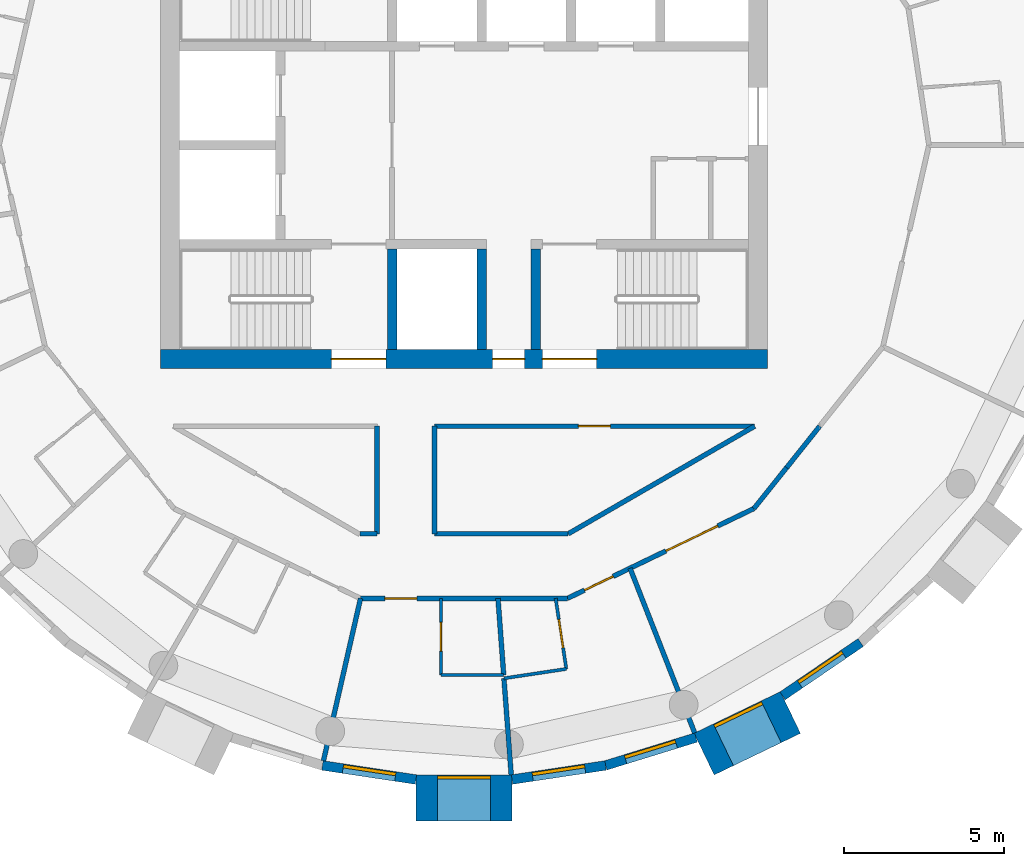
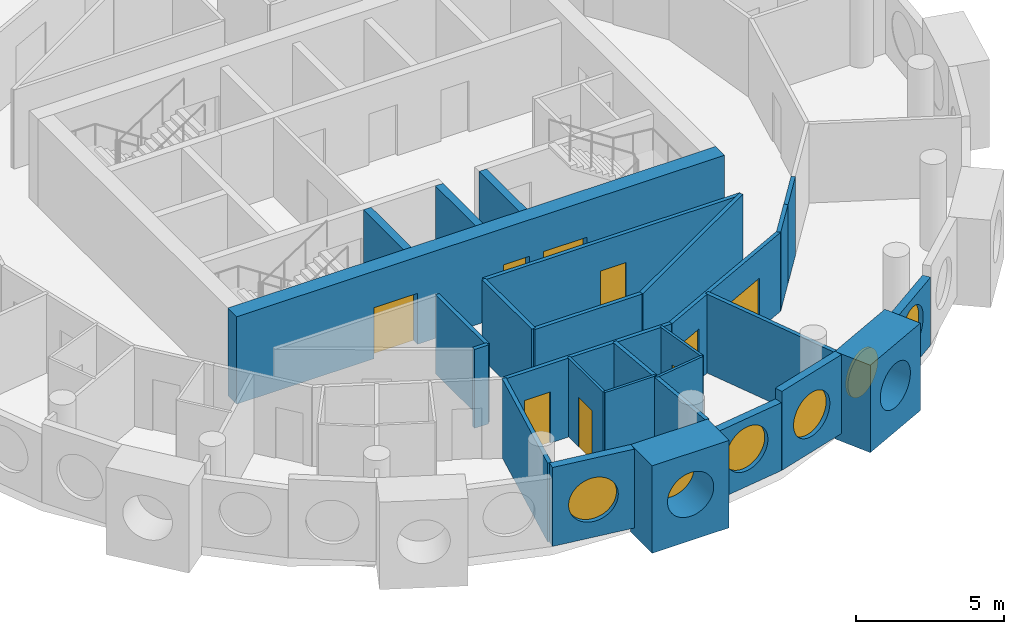
# One storey, part 4 of 12: 28 walls, 9 doors, 6 windows, 15 openings.
"""IFC4 building model written with IfcOpenShell, lengths in metres."""

from ifc_helpers import new_model, si_unit, direction, frame, frame_2d, origin, origin_2d, place, context, subcontext, project, spatial, rectangle, circle, extrude, material, layer, layer_set, type_object, element, fill, save


model = new_model("IFC4")

# Units and contexts
model_context = context("Model", 3, precision=1e-05, world=origin(), true_north=direction((0.0, 1.0)))
body_context = subcontext(model_context, "Body", "Model", "MODEL_VIEW")
ifc_project = project(units=[si_unit("LENGTHUNIT", "METRE"), si_unit("AREAUNIT", "SQUARE_METRE"), si_unit("VOLUMEUNIT", "CUBIC_METRE"), si_unit("PLANEANGLEUNIT", "RADIAN"), si_unit("MASSUNIT", "GRAM", prefix="KILO")], contexts=[model_context])

# Site, building, storey
site_placement = place(None, origin())
site = spatial("IfcSite", under=ifc_project, at=site_placement, CompositionType="ELEMENT")
building_placement = place(site_placement, origin())
building = spatial("IfcBuilding", under=site, at=building_placement, Name="Tracery Tower", CompositionType="ELEMENT")
storey_placement = place(building_placement, frame((0.0, 0.0, 287.39990234375)))
storey = spatial("IfcBuildingStorey", under=building, at=storey_placement, Name="L74", CompositionType="ELEMENT", Elevation=287.39990234375)

# Wall, openings, doors
ifc_material_1 = material(Name="Concrete C40/50", Category="concrete")
ifc_layer_1 = layer(ifc_material_1, 0.60009765625)
ifc_layer_set_1 = layer_set([ifc_layer_1], Name="Core wall 600 C40")
wall_type_1 = type_object("IfcWallType", Name="Core wall 600 C40", PredefinedType="SOLIDWALL", material=ifc_layer_set_1)
wall_1_placement = place(storey_placement, frame((-9.5, -6.699951171875, 0.0), z_axis=(0.0, 0.0, 1.0), x_axis=(1.0, 0.0, 0.0)))
wall_1 = element("IfcWall", 1, at=wall_1_placement, inside=storey, type_object=wall_type_1, Name="L74 outer S", PredefinedType="SOLIDWALL", context=body_context, shape_type="SweptSolid", body=[
    extrude(rectangle(XDim=19.0, YDim=0.60009765625, at=frame_2d((9.5, 0.0))), origin(), (0.0, 0.0, 1.0), 3.60009765625),
])
opening_1_placement = place(wall_1_placement, frame((10.39990234375, 0.0, 0.0)))
opening_1 = element("IfcOpeningElement", 2, at=opening_1_placement, cuts=wall_1, Name="Opening KD16", PredefinedType="OPENING", context=body_context, shape_type="SweptSolid", body=[
    extrude(rectangle(XDim=1.0, YDim=2.10009765625, at=frame_2d((0.5, 1.050048828125))), frame((0.0, 0.300048828125, 0.0), z_axis=(0.0, -1.0, 0.0), x_axis=(1.0, 0.0, 0.0)), (0.0, 0.0, 1.0), 0.60009765625),
])
opening_2_placement = place(wall_1_placement, frame((5.35009765625, 0.0, 0.0)))
opening_2 = element("IfcOpeningElement", 3, at=opening_2_placement, cuts=wall_1, Name="Opening KD3", PredefinedType="OPENING", context=body_context, shape_type="SweptSolid", body=[
    extrude(rectangle(XDim=1.699951171875, YDim=2.10009765625, at=frame_2d((0.85009765625, 1.050048828125))), frame((0.0, 0.300048828125, 0.0), z_axis=(0.0, -1.0, 0.0), x_axis=(1.0, 0.0, 0.0)), (0.0, 0.0, 1.0), 0.60009765625),
])
opening_3_placement = place(wall_1_placement, frame((11.949951171875, 0.0, 0.0)))
opening_3 = element("IfcOpeningElement", 4, at=opening_3_placement, cuts=wall_1, Name="Opening KD3", PredefinedType="OPENING", context=body_context, shape_type="SweptSolid", body=[
    extrude(rectangle(XDim=1.699951171875, YDim=2.10009765625, at=frame_2d((0.85009765625, 1.050048828125))), frame((0.0, 0.300048828125, 0.0), z_axis=(0.0, -1.0, 0.0), x_axis=(1.0, 0.0, 0.0)), (0.0, 0.0, 1.0), 0.60009765625),
])
ifc_material_2 = material(Name="Steel fire door", Category="steel")
door_type_1 = type_object("IfcDoorType", Name="Core exit door 1000", OperationType="NOTDEFINED", PredefinedType="DOOR", material=ifc_material_2)
door_1_placement = place(opening_1_placement, origin())
door_1 = element("IfcDoor", 5, at=door_1_placement, inside=storey, type_object=door_type_1, Name="Core exit door", OperationType="SINGLE_SWING_LEFT", OverallHeight=2.10009765625, OverallWidth=1.0, PredefinedType="DOOR", context=body_context, shape_type="SweptSolid", body=[
    extrude(rectangle(XDim=1.0, YDim=2.10009765625, at=frame_2d((0.5, 1.050048828125))), frame((0.0, 0.02490234375, 0.0), z_axis=(0.0, -1.0, 0.0), x_axis=(1.0, 0.0, 0.0)), (0.0, 0.0, 1.0), 0.050048828125),
])
fill(opening_1, door_1)
ifc_material_3 = material(Name="Steel fire door", Category="steel")
door_type_2 = type_object("IfcDoorType", Name="Core stair door 1700 double", OperationType="NOTDEFINED", PredefinedType="DOOR", material=ifc_material_3)
door_2_placement = place(opening_2_placement, origin())
door_2 = element("IfcDoor", 6, at=door_2_placement, inside=storey, type_object=door_type_2, Name="Stair door ST1 exit", OperationType="DOUBLE_DOOR_SINGLE_SWING", OverallHeight=2.10009765625, OverallWidth=1.699951171875, PredefinedType="DOOR", context=body_context, shape_type="SweptSolid", body=[
    extrude(rectangle(XDim=1.699951171875, YDim=2.10009765625, at=frame_2d((0.85009765625, 1.050048828125))), frame((0.0, 0.02490234375, 0.0), z_axis=(0.0, -1.0, 0.0), x_axis=(1.0, 0.0, 0.0)), (0.0, 0.0, 1.0), 0.050048828125),
])
fill(opening_2, door_2)
door_3_placement = place(opening_3_placement, origin())
door_3 = element("IfcDoor", 7, at=door_3_placement, inside=storey, type_object=door_type_2, Name="Stair door ST2 exit", OperationType="DOUBLE_DOOR_SINGLE_SWING", OverallHeight=2.10009765625, OverallWidth=1.699951171875, PredefinedType="DOOR", context=body_context, shape_type="SweptSolid", body=[
    extrude(rectangle(XDim=1.699951171875, YDim=2.10009765625, at=frame_2d((0.85009765625, 1.050048828125))), frame((0.0, 0.02490234375, 0.0), z_axis=(0.0, -1.0, 0.0), x_axis=(1.0, 0.0, 0.0)), (0.0, 0.0, 1.0), 0.050048828125),
])
fill(opening_3, door_3)

# Wall, opening, window
ifc_material_4 = material(Name="Precast concrete C50/60", Category="concrete")
ifc_layer_2 = layer(ifc_material_4, 1.449951171875)
ifc_layer_set_2 = layer_set([ifc_layer_2], Name="Deep-set bay unit 3000 x 3600, slab edge 350")
wall_type_2 = type_object("IfcWallType", Name="Deep-set bay unit 3000 x 3600, slab edge 350", PredefinedType="ELEMENTEDWALL", material=ifc_layer_set_2)
wall_2_placement = place(storey_placement, frame((-1.5, -20.441162109375, -0.349853515625), z_axis=(0.0, 0.0, 1.0), x_axis=(1.0, 0.0, 0.0)))
wall_2 = element("IfcWall", 8, at=wall_2_placement, inside=storey, type_object=wall_type_2, Name="Deep-set bay unit 32 at L74", PredefinedType="ELEMENTEDWALL", context=body_context, shape_type="SweptSolid", body=[
    extrude(rectangle(XDim=3.0, YDim=1.449951171875, at=frame_2d((1.5, 0.0))), origin(), (0.0, 0.0, 1.0), 3.599853515625),
])
opening_4_placement = place(wall_2_placement, frame((1.5, 0.0, 1.89990234375)))
opening_4 = element("IfcOpeningElement", 9, at=opening_4_placement, cuts=wall_2, Name="Opening WN1", PredefinedType="OPENING", context=body_context, shape_type="SweptSolid", body=[
    extrude(circle(Radius=0.9000244140625, at=origin_2d()), frame((0.0, 0.73486328125, 0.0), z_axis=(0.0, -1.0, 0.0), x_axis=(1.0, 0.0, 0.0)), (0.0, 0.0, 1.0), 1.469970703125),
])
ifc_material_5 = material(Name="Aluminium frame with tinted double glazing", Category="aluminium")
window_type = type_object("IfcWindowType", Name="Round window 1800", PartitioningType="SINGLE_PANEL", PredefinedType="WINDOW", material=ifc_material_5)
window_1_placement = place(opening_4_placement, origin())
window_1 = element("IfcWindow", 10, at=window_1_placement, inside=storey, type_object=window_type, Name="Round window 32 at L74", OverallHeight=1.800048828125, OverallWidth=1.800048828125, PartitioningType="SINGLE_PANEL", PredefinedType="WINDOW", context=body_context, shape_type="SweptSolid", body=[
    extrude(circle(Radius=0.9000244140625, at=origin_2d()), frame((0.0, 0.69482421875, 0.0), z_axis=(0.0, -1.0, 0.0), x_axis=(1.0, 0.0, 0.0)), (0.0, 0.0, 1.0), 0.10009765625),
])
fill(opening_4, window_1)

wall_3_placement = place(storey_placement, frame((7.517578125, -19.067626953125, -0.349853515625), z_axis=(0.0, 0.0, 1.0), x_axis=(0.900953362039, 0.433915935904, 0.0)))
wall_3 = element("IfcWall", 11, at=wall_3_placement, inside=storey, type_object=wall_type_2, Name="Deep-set bay unit 35 at L74", PredefinedType="ELEMENTEDWALL", context=body_context, shape_type="SweptSolid", body=[
    extrude(rectangle(XDim=3.0, YDim=1.449951171875, at=frame_2d((1.5, 0.0))), origin(), (0.0, 0.0, 1.0), 3.599853515625),
])
opening_5_placement = place(wall_3_placement, frame((1.5, 0.0, 1.89990234375)))
opening_5 = element("IfcOpeningElement", 12, at=opening_5_placement, cuts=wall_3, Name="Opening WN1", PredefinedType="OPENING", context=body_context, shape_type="SweptSolid", body=[
    extrude(circle(Radius=0.9000244140625, at=origin_2d()), frame((0.0, 0.73486328125, 0.0), z_axis=(0.0, -1.0, 0.0), x_axis=(1.0, 0.0, 0.0)), (0.0, 0.0, 1.0), 1.469970703125),
])
window_2_placement = place(opening_5_placement, origin())
window_2 = element("IfcWindow", 13, at=window_2_placement, inside=storey, type_object=window_type, Name="Round window 35 at L74", OverallHeight=1.800048828125, OverallWidth=1.800048828125, PartitioningType="SINGLE_PANEL", PredefinedType="WINDOW", context=body_context, shape_type="SweptSolid", body=[
    extrude(circle(Radius=0.9000244140625, at=origin_2d()), frame((0.0, 0.69482421875, 0.0), z_axis=(0.0, -1.0, 0.0), x_axis=(1.0, 0.0, 0.0)), (0.0, 0.0, 1.0), 0.10009765625),
])
fill(opening_5, window_2)

ifc_material_6 = material(Name="Precast concrete C50/60", Category="concrete")
ifc_layer_3 = layer(ifc_material_6, 0.300048828125)
ifc_layer_set_3 = layer_set([ifc_layer_3], Name="Facade panel 3000 x 2800")
wall_type_3 = type_object("IfcWallType", Name="Facade panel 3000 x 2800", PredefinedType="SOLIDWALL", material=ifc_layer_set_3)
wall_4_placement = place(storey_placement, frame((1.50390625, -19.86376953125, 0.0), z_axis=(0.0, 0.0, 1.0), x_axis=(0.988835775663, 0.149009425104, 0.0)))
wall_4 = element("IfcWall", 14, at=wall_4_placement, inside=storey, type_object=wall_type_3, Name="Facade panel 33 at L74", PredefinedType="SOLIDWALL", context=body_context, shape_type="SweptSolid", body=[
    extrude(rectangle(XDim=2.962158203125, YDim=0.300048828125, at=frame_2d((1.48095703125, 0.0))), origin(), (0.0, 0.0, 1.0), 2.800048828125),
])
opening_6_placement = place(wall_4_placement, frame((1.48095703125, 0.0, 1.5498046875)))
opening_6 = element("IfcOpeningElement", 15, at=opening_6_placement, cuts=wall_4, Name="Opening WN1", PredefinedType="OPENING", context=body_context, shape_type="SweptSolid", body=[
    extrude(circle(Radius=0.9000244140625, at=origin_2d()), frame((0.0, 0.159912109375, 0.0), z_axis=(0.0, -1.0, 0.0), x_axis=(1.0, 0.0, 0.0)), (0.0, 0.0, 1.0), 0.320068359375),
])
window_3_placement = place(opening_6_placement, origin())
window_3 = element("IfcWindow", 16, at=window_3_placement, inside=storey, type_object=window_type, Name="Round window 33 at L74", OverallHeight=1.800048828125, OverallWidth=1.800048828125, PartitioningType="SINGLE_PANEL", PredefinedType="WINDOW", context=body_context, shape_type="SweptSolid", body=[
    extrude(circle(Radius=0.9000244140625, at=origin_2d()), frame((0.0, 0.1201171875, 0.0), z_axis=(0.0, -1.0, 0.0), x_axis=(1.0, 0.0, 0.0)), (0.0, 0.0, 1.0), 0.10009765625),
])
fill(opening_6, window_3)

wall_5_placement = place(storey_placement, frame((9.9736328125, -17.244140625, 0.0), z_axis=(0.0, 0.0, 1.0), x_axis=(0.826236061068, 0.563324037646, 0.0)))
wall_5 = element("IfcWall", 17, at=wall_5_placement, inside=storey, type_object=wall_type_3, Name="Facade panel 36 at L74", PredefinedType="SOLIDWALL", context=body_context, shape_type="SweptSolid", body=[
    extrude(rectangle(XDim=2.962158203125, YDim=0.300048828125, at=frame_2d((1.48095703125, 0.0))), origin(), (0.0, 0.0, 1.0), 2.800048828125),
])
opening_7_placement = place(wall_5_placement, frame((1.48095703125, 0.0, 1.5498046875)))
opening_7 = element("IfcOpeningElement", 18, at=opening_7_placement, cuts=wall_5, Name="Opening WN1", PredefinedType="OPENING", context=body_context, shape_type="SweptSolid", body=[
    extrude(circle(Radius=0.9000244140625, at=origin_2d()), frame((0.0, 0.159912109375, 0.0), z_axis=(0.0, -1.0, 0.0), x_axis=(1.0, 0.0, 0.0)), (0.0, 0.0, 1.0), 0.320068359375),
])
window_4_placement = place(opening_7_placement, origin())
window_4 = element("IfcWindow", 19, at=window_4_placement, inside=storey, type_object=window_type, Name="Round window 36 at L74", OverallHeight=1.800048828125, OverallWidth=1.800048828125, PartitioningType="SINGLE_PANEL", PredefinedType="WINDOW", context=body_context, shape_type="SweptSolid", body=[
    extrude(circle(Radius=0.9000244140625, at=origin_2d()), frame((0.0, 0.1201171875, 0.0), z_axis=(0.0, -1.0, 0.0), x_axis=(1.0, 0.0, 0.0)), (0.0, 0.0, 1.0), 0.10009765625),
])
fill(opening_7, window_4)

ifc_material_7 = material(Name="Precast concrete C50/60", Category="concrete")
ifc_layer_4 = layer(ifc_material_7, 0.300048828125)
ifc_layer_set_4 = layer_set([ifc_layer_4], Name="Facade panel 3000 x 3250")
wall_type_4 = type_object("IfcWallType", Name="Facade panel 3000 x 3250", PredefinedType="SOLIDWALL", material=ifc_layer_set_4)
wall_6_placement = place(storey_placement, frame((-4.43310546875, -19.42236328125, 0.0), z_axis=(0.0, 0.0, 1.0), x_axis=(0.988835775663, -0.149009425104, 0.0)))
wall_6 = element("IfcWall", 20, at=wall_6_placement, inside=storey, type_object=wall_type_4, Name="Facade panel 31 at L74", PredefinedType="SOLIDWALL", context=body_context, shape_type="SweptSolid", body=[
    extrude(rectangle(XDim=2.962158203125, YDim=0.300048828125, at=frame_2d((1.48095703125, 0.0))), origin(), (0.0, 0.0, 1.0), 3.25),
])
opening_8_placement = place(wall_6_placement, frame((1.48095703125, 0.0, 1.5498046875)))
opening_8 = element("IfcOpeningElement", 21, at=opening_8_placement, cuts=wall_6, Name="Opening WN1", PredefinedType="OPENING", context=body_context, shape_type="SweptSolid", body=[
    extrude(circle(Radius=0.9000244140625, at=origin_2d()), frame((0.0, 0.159912109375, 0.0), z_axis=(0.0, -1.0, 0.0), x_axis=(1.0, 0.0, 0.0)), (0.0, 0.0, 1.0), 0.320068359375),
])
window_5_placement = place(opening_8_placement, origin())
window_5 = element("IfcWindow", 22, at=window_5_placement, inside=storey, type_object=window_type, Name="Round window 31 at L74", OverallHeight=1.800048828125, OverallWidth=1.800048828125, PartitioningType="SINGLE_PANEL", PredefinedType="WINDOW", context=body_context, shape_type="SweptSolid", body=[
    extrude(circle(Radius=0.9000244140625, at=origin_2d()), frame((0.0, 0.1201171875, 0.0), z_axis=(0.0, -1.0, 0.0), x_axis=(1.0, 0.0, 0.0)), (0.0, 0.0, 1.0), 0.10009765625),
])
fill(opening_8, window_5)

wall_7_placement = place(storey_placement, frame((4.43310546875, -19.42236328125, 0.0), z_axis=(0.0, 0.0, 1.0), x_axis=(0.955555982805, 0.29480970765, 0.0)))
wall_7 = element("IfcWall", 23, at=wall_7_placement, inside=storey, type_object=wall_type_4, Name="Facade panel 34 at L74", PredefinedType="SOLIDWALL", context=body_context, shape_type="SweptSolid", body=[
    extrude(rectangle(XDim=2.962158203125, YDim=0.300048828125, at=frame_2d((1.48095703125, 0.0))), origin(), (0.0, 0.0, 1.0), 3.25),
])
opening_9_placement = place(wall_7_placement, frame((1.48095703125, 0.0, 1.5498046875)))
opening_9 = element("IfcOpeningElement", 24, at=opening_9_placement, cuts=wall_7, Name="Opening WN1", PredefinedType="OPENING", context=body_context, shape_type="SweptSolid", body=[
    extrude(circle(Radius=0.9000244140625, at=origin_2d()), frame((0.0, 0.159912109375, 0.0), z_axis=(0.0, -1.0, 0.0), x_axis=(1.0, 0.0, 0.0)), (0.0, 0.0, 1.0), 0.320068359375),
])
window_6_placement = place(opening_9_placement, origin())
window_6 = element("IfcWindow", 25, at=window_6_placement, inside=storey, type_object=window_type, Name="Round window 34 at L74", OverallHeight=1.800048828125, OverallWidth=1.800048828125, PartitioningType="SINGLE_PANEL", PredefinedType="WINDOW", context=body_context, shape_type="SweptSolid", body=[
    extrude(circle(Radius=0.9000244140625, at=origin_2d()), frame((0.0, 0.1201171875, 0.0), z_axis=(0.0, -1.0, 0.0), x_axis=(1.0, 0.0, 0.0)), (0.0, 0.0, 1.0), 0.10009765625),
])
fill(opening_9, window_6)

# Wall, opening, door
ifc_material_8 = material(Name="Plasterboard on steel studs", Category="steel")
ifc_layer_5 = layer(ifc_material_8, 0.10009765625)
ifc_layer_set_5 = layer_set([ifc_layer_5], Name="Partition 100 wet wall")
wall_type_5 = type_object("IfcWallType", Name="Partition 100 wet wall", PredefinedType="PARTITIONING", material=ifc_layer_set_5)
wall_8_placement = place(storey_placement, frame((-0.721923828125, -16.592041015625, 0.0), z_axis=(0.0, 0.0, 1.0), x_axis=(0.0, 1.0, 0.0)))
wall_8 = element("IfcWall", 26, at=wall_8_placement, inside=storey, type_object=wall_type_5, Name="Wet wall RC6-080", PredefinedType="PARTITIONING", context=body_context, shape_type="SweptSolid", body=[
    extrude(rectangle(XDim=2.400146484375, YDim=0.10009765625, at=frame_2d((1.2001953125, 0.0))), origin(), (0.0, 0.0, 1.0), 3.25),
])
opening_10_placement = place(wall_8_placement, frame((0.75, 0.0, 0.0)))
opening_10 = element("IfcOpeningElement", 27, at=opening_10_placement, cuts=wall_8, Name="Opening RC6-26", PredefinedType="OPENING", context=body_context, shape_type="SweptSolid", body=[
    extrude(rectangle(XDim=0.89990234375, YDim=2.0400390625, at=frame_2d((0.449951171875, 1.02001953125))), frame((0.0, 0.050048828125, 0.0), z_axis=(0.0, -1.0, 0.0), x_axis=(1.0, 0.0, 0.0)), (0.0, 0.0, 1.0), 0.10009765625),
])
ifc_material_9 = material(Name="Timber door leaf", Category="wood")
door_type_3 = type_object("IfcDoorType", Name="Door en-suite 900", OperationType="NOTDEFINED", PredefinedType="DOOR", material=ifc_material_9)
door_4_placement = place(opening_10_placement, origin())
door_4 = element("IfcDoor", 28, at=door_4_placement, inside=storey, type_object=door_type_3, Name="En-suite door RC6-26", OperationType="SINGLE_SWING_RIGHT", OverallHeight=2.0400390625, OverallWidth=0.89990234375, PredefinedType="DOOR", context=body_context, shape_type="SweptSolid", body=[
    extrude(rectangle(XDim=0.89990234375, YDim=2.0400390625, at=frame_2d((0.449951171875, 1.02001953125))), frame((0.0, 0.02490234375, 0.0), z_axis=(0.0, -1.0, 0.0), x_axis=(1.0, 0.0, 0.0)), (0.0, 0.0, 1.0), 0.050048828125),
])
fill(opening_10, door_4)

# Walls
wall_9_placement = place(storey_placement, frame((-0.721923828125, -16.592041015625, 0.0), z_axis=(0.0, 0.0, 1.0), x_axis=(1.0, 0.0, 0.0)))
element("IfcWall", 29, at=wall_9_placement, inside=storey, type_object=wall_type_5, Name="Wet wall RC6-081", PredefinedType="PARTITIONING", context=body_context, shape_type="SweptSolid", body=[
    extrude(rectangle(XDim=1.96484375, YDim=0.10009765625, at=frame_2d((0.982421875, 0.0))), origin(), (0.0, 0.0, 1.0), 3.25),
])
wall_10_placement = place(storey_placement, frame((1.2509765625, -16.695068359375, 0.0), z_axis=(0.0, 0.0, 1.0), x_axis=(0.988831780565, 0.149035934407, 0.0)))
element("IfcWall", 30, at=wall_10_placement, inside=storey, type_object=wall_type_5, Name="Wet wall RC6-084", PredefinedType="PARTITIONING", context=body_context, shape_type="SweptSolid", body=[
    extrude(rectangle(XDim=1.973876953125, YDim=0.10009765625, at=frame_2d((0.98681640625, 0.0))), origin(), (0.0, 0.0, 1.0), 3.25),
])

# Wall, opening, door
wall_11_placement = place(storey_placement, frame((2.8701171875, -14.19189453125, 0.0), z_axis=(0.0, 0.0, 1.0), x_axis=(0.148960349288, -0.988843169739, 0.0)))
wall_11 = element("IfcWall", 31, at=wall_11_placement, inside=storey, type_object=wall_type_5, Name="Wet wall RC6-085", PredefinedType="PARTITIONING", context=body_context, shape_type="SweptSolid", body=[
    extrude(rectangle(XDim=2.23388671875, YDim=0.10009765625, at=frame_2d((1.116943359375, 0.0))), origin(), (0.0, 0.0, 1.0), 3.25),
])
opening_11_placement = place(wall_11_placement, frame((0.6669921875, 0.0, 0.0)))
opening_11 = element("IfcOpeningElement", 32, at=opening_11_placement, cuts=wall_11, Name="Opening RC6-28", PredefinedType="OPENING", context=body_context, shape_type="SweptSolid", body=[
    extrude(rectangle(XDim=0.89990234375, YDim=2.0400390625, at=frame_2d((0.449951171875, 1.02001953125))), frame((0.0, 0.050048828125, 0.0), z_axis=(0.0, -1.0, 0.0), x_axis=(1.0, 0.0, 0.0)), (0.0, 0.0, 1.0), 0.10009765625),
])
door_5_placement = place(opening_11_placement, origin())
door_5 = element("IfcDoor", 33, at=door_5_placement, inside=storey, type_object=door_type_3, Name="En-suite door RC6-28", OperationType="SINGLE_SWING_RIGHT", OverallHeight=2.0400390625, OverallWidth=0.89990234375, PredefinedType="DOOR", context=body_context, shape_type="SweptSolid", body=[
    extrude(rectangle(XDim=0.89990234375, YDim=2.0400390625, at=frame_2d((0.449951171875, 1.02001953125))), frame((0.0, 0.02490234375, 0.0), z_axis=(0.0, -1.0, 0.0), x_axis=(1.0, 0.0, 0.0)), (0.0, 0.0, 1.0), 0.050048828125),
])
fill(opening_11, door_5)

# Walls
ifc_material_10 = material(Name="Plasterboard on steel studs", Category="steel")
ifc_layer_6 = layer(ifc_material_10, 0.14990234375)
ifc_layer_set_6 = layer_set([ifc_layer_6], Name="Partition 150 acoustic unit wall")
wall_type_6 = type_object("IfcWallType", Name="Partition 150 acoustic unit wall", PredefinedType="PARTITIONING", material=ifc_layer_set_6)
wall_12_placement = place(storey_placement, frame((-4.39990234375, -19.27587890625, 0.0), z_axis=(0.0, 0.0, 1.0), x_axis=(0.222612505682, 0.974907007008, 0.0)))
element("IfcWall", 34, at=wall_12_placement, inside=storey, type_object=wall_type_6, Name="Unit wall RC6-079", PredefinedType="PARTITIONING", context=body_context, shape_type="SweptSolid", body=[
    extrude(rectangle(XDim=5.21484375, YDim=0.14990234375, at=frame_2d((2.607421875, 0.0))), origin(), (0.0, 0.0, 1.0), 3.25),
])
wall_13_placement = place(storey_placement, frame((1.25, -16.69091796875, 0.0), z_axis=(0.0, 0.0, 1.0), x_axis=(0.075164061246, -0.99717118084, 0.0)))
element("IfcWall", 35, at=wall_13_placement, inside=storey, type_object=wall_type_6, Name="Unit wall RC6-082", PredefinedType="PARTITIONING", context=body_context, shape_type="SweptSolid", body=[
    extrude(rectangle(XDim=3.03369140625, YDim=0.14990234375, at=frame_2d((1.516845703125, 0.0))), origin(), (0.0, 0.0, 1.0), 3.25),
])
wall_14_placement = place(storey_placement, frame((1.06396484375, -14.19189453125, 0.0), z_axis=(0.0, 0.0, 1.0), x_axis=(0.074353677934, -0.997231934195, 0.0)))
element("IfcWall", 36, at=wall_14_placement, inside=storey, type_object=wall_type_6, Name="Unit wall RC6-083", PredefinedType="PARTITIONING", context=body_context, shape_type="SweptSolid", body=[
    extrude(rectangle(XDim=2.40673828125, YDim=0.14990234375, at=frame_2d((1.203369140625, 0.0))), origin(), (0.0, 0.0, 1.0), 3.25),
])
wall_15_placement = place(storey_placement, frame((5.198974609375, -13.248046875, 0.0), z_axis=(0.0, 0.0, 1.0), x_axis=(0.365334662456, -0.930876245485, 0.0)))
element("IfcWall", 37, at=wall_15_placement, inside=storey, type_object=wall_type_6, Name="Unit wall RC6-086", PredefinedType="PARTITIONING", context=body_context, shape_type="SweptSolid", body=[
    extrude(rectangle(XDim=5.5400390625, YDim=0.14990234375, at=frame_2d((2.77001953125, 0.0))), origin(), (0.0, 0.0, 1.0), 3.25),
])

# Wall, opening, door
ifc_material_11 = material(Name="Plasterboard on steel studs", Category="steel")
ifc_layer_7 = layer(ifc_material_11, 0.14990234375)
ifc_layer_set_7 = layer_set([ifc_layer_7], Name="Partition 150 corridor wall")
wall_type_7 = type_object("IfcWallType", Name="Partition 150 corridor wall", PredefinedType="PARTITIONING", material=ifc_layer_set_7)
wall_16_placement = place(storey_placement, frame((-0.924072265625, -8.800048828125, 0.0), z_axis=(0.0, 0.0, 1.0), x_axis=(1.0, 0.0, 0.0)))
wall_16 = element("IfcWall", 38, at=wall_16_placement, inside=storey, type_object=wall_type_7, Name="Corridor wall RC6-014", PredefinedType="PARTITIONING", context=body_context, shape_type="SweptSolid", body=[
    extrude(rectangle(XDim=10.024658203125, YDim=0.14990234375, at=frame_2d((5.01220703125, 0.0))), origin(), (0.0, 0.0, 1.0), 3.25),
])
opening_12_placement = place(wall_16_placement, frame((4.508056640625, 0.0, 0.0)))
opening_12 = element("IfcOpeningElement", 39, at=opening_12_placement, cuts=wall_16, Name="Opening RC6-04", PredefinedType="OPENING", context=body_context, shape_type="SweptSolid", body=[
    extrude(rectangle(XDim=1.0, YDim=2.0400390625, at=frame_2d((0.5, 1.02001953125))), frame((0.0, 0.074951171875, 0.0), z_axis=(0.0, -1.0, 0.0), x_axis=(1.0, 0.0, 0.0)), (0.0, 0.0, 1.0), 0.14990234375),
])
ifc_material_12 = material(Name="Timber door leaf", Category="wood")
door_type_4 = type_object("IfcDoorType", Name="Door communal room 1000", OperationType="NOTDEFINED", PredefinedType="DOOR", material=ifc_material_12)
door_6_placement = place(opening_12_placement, origin())
door_6 = element("IfcDoor", 40, at=door_6_placement, inside=storey, type_object=door_type_4, Name="Communal room door RC6-04", OperationType="SINGLE_SWING_RIGHT", OverallHeight=2.0400390625, OverallWidth=1.0, PredefinedType="DOOR", context=body_context, shape_type="SweptSolid", body=[
    extrude(rectangle(XDim=1.0, YDim=2.0400390625, at=frame_2d((0.5, 1.02001953125))), frame((0.0, 0.02490234375, 0.0), z_axis=(0.0, -1.0, 0.0), x_axis=(1.0, 0.0, 0.0)), (0.0, 0.0, 1.0), 0.050048828125),
])
fill(opening_12, door_6)

# Walls
wall_17_placement = place(storey_placement, frame((10.10107421875, -10.10107421875, 0.0), z_axis=(0.0, 0.0, 1.0), x_axis=(0.623098344652, 0.782143498913, 0.0)))
element("IfcWall", 41, at=wall_17_placement, inside=storey, type_object=wall_type_7, Name="Corridor wall RC6-020", PredefinedType="PARTITIONING", context=body_context, shape_type="SweptSolid", body=[
    extrude(rectangle(XDim=1.660888671875, YDim=0.14990234375, at=frame_2d((0.83056640625, 0.0))), origin(), (0.0, 0.0, 1.0), 3.25),
])
wall_18_placement = place(storey_placement, frame((-3.260986328125, -12.1708984375, 0.0), z_axis=(0.0, 0.0, 1.0), x_axis=(1.0, 0.0, 0.0)))
element("IfcWall", 42, at=wall_18_placement, inside=storey, type_object=wall_type_7, Name="Corridor wall RC6-037", PredefinedType="PARTITIONING", context=body_context, shape_type="SweptSolid", body=[
    extrude(rectangle(XDim=0.541015625, YDim=0.14990234375, at=frame_2d((0.2705078125, 0.0))), origin(), (0.0, 0.0, 1.0), 3.25),
])
for number, where, z_axis, x_axis, name in (
    (43, (-2.719970703125, -12.1708984375, 0.0), (0.0, 0.0, 1.0), (0.0, 1.0, 0.0), "Corridor wall RC6-038"),
    (44, (-0.919921875, -12.1708984375, 0.0), (0.0, 0.0, 1.0), (0.0, 1.0, 0.0), "Corridor wall RC6-039"),
):
    element("IfcWall", number, at=place(storey_placement, frame(where, z_axis=z_axis, x_axis=x_axis)), inside=storey, type_object=wall_type_7, Name=name, PredefinedType="PARTITIONING", context=body_context, shape_type="SweptSolid", body=[
        extrude(rectangle(XDim=3.370849609375, YDim=0.14990234375, at=frame_2d((1.685546875, 0.0))), origin(), (0.0, 0.0, 1.0), 3.25),
    ])
wall_19_placement = place(storey_placement, frame((-0.919921875, -12.1708984375, 0.0), z_axis=(0.0, 0.0, 1.0), x_axis=(1.0, 0.0, 0.0)))
element("IfcWall", 45, at=wall_19_placement, inside=storey, type_object=wall_type_7, Name="Corridor wall RC6-040", PredefinedType="PARTITIONING", context=body_context, shape_type="SweptSolid", body=[
    extrude(rectangle(XDim=4.180908203125, YDim=0.14990234375, at=frame_2d((2.09033203125, 0.0))), origin(), (0.0, 0.0, 1.0), 3.25),
])
wall_20_placement = place(storey_placement, frame((3.260986328125, -12.1708984375, 0.0), z_axis=(0.0, 0.0, 1.0), x_axis=(0.866066809554, 0.499928276245, 0.0)))
element("IfcWall", 46, at=wall_20_placement, inside=storey, type_object=wall_type_7, Name="Corridor wall RC6-041", PredefinedType="PARTITIONING", context=body_context, shape_type="SweptSolid", body=[
    extrude(rectangle(XDim=6.74267578125, YDim=0.14990234375, at=frame_2d((3.371337890625, 0.0))), origin(), (0.0, 0.0, 1.0), 3.25),
])

# Wall, opening, door
wall_21_placement = place(storey_placement, frame((-3.239013671875, -14.19189453125, 0.0), z_axis=(0.0, 0.0, 1.0), x_axis=(1.0, 0.0, 0.0)))
wall_21 = element("IfcWall", 47, at=wall_21_placement, inside=storey, type_object=wall_type_7, Name="Corridor wall RC6-043", PredefinedType="PARTITIONING", context=body_context, shape_type="SweptSolid", body=[
    extrude(rectangle(XDim=6.47802734375, YDim=0.14990234375, at=frame_2d((3.239013671875, 0.0))), origin(), (0.0, 0.0, 1.0), 3.25),
])
opening_13_placement = place(wall_21_placement, frame((0.760986328125, 0.0, 0.0)))
opening_13 = element("IfcOpeningElement", 48, at=opening_13_placement, cuts=wall_21, Name="Opening RC6-27", PredefinedType="OPENING", context=body_context, shape_type="SweptSolid", body=[
    extrude(rectangle(XDim=1.0, YDim=2.10009765625, at=frame_2d((0.5, 1.050048828125))), frame((0.0, 0.074951171875, 0.0), z_axis=(0.0, -1.0, 0.0), x_axis=(1.0, 0.0, 0.0)), (0.0, 0.0, 1.0), 0.14990234375),
])
ifc_material_13 = material(Name="Timber door leaf", Category="wood")
door_type_5 = type_object("IfcDoorType", Name="Door unit entrance 1000", OperationType="NOTDEFINED", PredefinedType="DOOR", material=ifc_material_13)
door_7_placement = place(opening_13_placement, origin())
door_7 = element("IfcDoor", 49, at=door_7_placement, inside=storey, type_object=door_type_5, Name="Unit entrance door RC6-27", OperationType="SINGLE_SWING_LEFT", OverallHeight=2.10009765625, OverallWidth=1.0, PredefinedType="DOOR", context=body_context, shape_type="SweptSolid", body=[
    extrude(rectangle(XDim=1.0, YDim=2.10009765625, at=frame_2d((0.5, 1.050048828125))), frame((0.0, 0.02490234375, 0.0), z_axis=(0.0, -1.0, 0.0), x_axis=(1.0, 0.0, 0.0)), (0.0, 0.0, 1.0), 0.050048828125),
])
fill(opening_13, door_7)

# Wall, openings, doors
wall_22_placement = place(storey_placement, frame((3.239013671875, -14.19189453125, 0.0), z_axis=(0.0, 0.0, 1.0), x_axis=(0.900851590682, 0.434127183629, 0.0)))
wall_22 = element("IfcWall", 50, at=wall_22_placement, inside=storey, type_object=wall_type_7, Name="Corridor wall RC6-044", PredefinedType="PARTITIONING", context=body_context, shape_type="SweptSolid", body=[
    extrude(rectangle(XDim=6.478515625, YDim=0.14990234375, at=frame_2d((3.2392578125, 0.0))), origin(), (0.0, 0.0, 1.0), 3.25),
])
opening_14_placement = place(wall_22_placement, frame((0.589111328125, 0.0, 0.0)))
opening_14 = element("IfcOpeningElement", 51, at=opening_14_placement, cuts=wall_22, Name="Opening RC6-29", PredefinedType="OPENING", context=body_context, shape_type="SweptSolid", body=[
    extrude(rectangle(XDim=1.0, YDim=2.10009765625, at=frame_2d((0.5, 1.050048828125))), frame((0.0, 0.074951171875, 0.0), z_axis=(0.0, -1.0, 0.0), x_axis=(1.0, 0.0, 0.0)), (0.0, 0.0, 1.0), 0.14990234375),
])
opening_15_placement = place(wall_22_placement, frame((3.424560546875, 0.0, 0.0)))
opening_15 = element("IfcOpeningElement", 52, at=opening_15_placement, cuts=wall_22, Name="Opening RC6-30", PredefinedType="OPENING", context=body_context, shape_type="SweptSolid", body=[
    extrude(rectangle(XDim=1.800048828125, YDim=2.10009765625, at=frame_2d((0.89990234375, 1.050048828125))), frame((0.0, 0.074951171875, 0.0), z_axis=(0.0, -1.0, 0.0), x_axis=(1.0, 0.0, 0.0)), (0.0, 0.0, 1.0), 0.14990234375),
])
ifc_material_14 = material(Name="Timber door leaf", Category="wood")
door_type_6 = type_object("IfcDoorType", Name="Door double lounge 1800", OperationType="NOTDEFINED", PredefinedType="DOOR", material=ifc_material_14)
door_8_placement = place(opening_15_placement, origin())
door_8 = element("IfcDoor", 53, at=door_8_placement, inside=storey, type_object=door_type_6, Name="Double lounge door RC6-30", OperationType="DOUBLE_DOOR_SINGLE_SWING", OverallHeight=2.10009765625, OverallWidth=1.800048828125, PredefinedType="DOOR", context=body_context, shape_type="SweptSolid", body=[
    extrude(rectangle(XDim=1.800048828125, YDim=2.10009765625, at=frame_2d((0.89990234375, 1.050048828125))), frame((0.0, 0.02490234375, 0.0), z_axis=(0.0, -1.0, 0.0), x_axis=(1.0, 0.0, 0.0)), (0.0, 0.0, 1.0), 0.050048828125),
])
fill(opening_15, door_8)
door_9_placement = place(opening_14_placement, origin())
door_9 = element("IfcDoor", 54, at=door_9_placement, inside=storey, type_object=door_type_5, Name="Unit entrance door RC6-29", OperationType="SINGLE_SWING_RIGHT", OverallHeight=2.10009765625, OverallWidth=1.0, PredefinedType="DOOR", context=body_context, shape_type="SweptSolid", body=[
    extrude(rectangle(XDim=1.0, YDim=2.10009765625, at=frame_2d((0.5, 1.050048828125))), frame((0.0, 0.02490234375, 0.0), z_axis=(0.0, -1.0, 0.0), x_axis=(1.0, 0.0, 0.0)), (0.0, 0.0, 1.0), 0.050048828125),
])
fill(opening_14, door_9)

# Walls
wall_23_placement = place(storey_placement, frame((9.075927734375, -11.381103515625, 0.0), z_axis=(0.0, 0.0, 1.0), x_axis=(0.623805208652, 0.781579849829, 0.0)))
element("IfcWall", 55, at=wall_23_placement, inside=storey, type_object=wall_type_7, Name="Corridor wall RC6-045", PredefinedType="PARTITIONING", context=body_context, shape_type="SweptSolid", body=[
    extrude(rectangle(XDim=1.64013671875, YDim=0.14990234375, at=frame_2d((0.820068359375, 0.0))), origin(), (0.0, 0.0, 1.0), 3.25),
])
ifc_material_15 = material(Name="Concrete C40/50", Category="concrete")
ifc_layer_8 = layer(ifc_material_15, 0.300048828125)
ifc_layer_set_8 = layer_set([ifc_layer_8], Name="Shaft wall 300 C40")
wall_type_8 = type_object("IfcWallType", Name="Shaft wall 300 C40", PredefinedType="SOLIDWALL", material=ifc_layer_set_8)
wall_24_placement = place(storey_placement, frame((0.550048828125, -6.39990234375, 0.0), z_axis=(0.0, 0.0, 1.0), x_axis=(0.0, 1.0, 0.0)))
element("IfcWall", 56, at=wall_24_placement, inside=storey, type_object=wall_type_8, Name="L74 OB2 E", PredefinedType="SOLIDWALL", context=body_context, shape_type="SweptSolid", body=[
    extrude(rectangle(XDim=3.14990234375, YDim=0.300048828125, at=frame_2d((1.574951171875, 0.0))), origin(), (0.0, 0.0, 1.0), 3.25),
])
ifc_material_16 = material(Name="Concrete C40/50", Category="concrete")
ifc_layer_9 = layer(ifc_material_16, 0.300048828125)
ifc_layer_set_9 = layer_set([ifc_layer_9], Name="Stair wall 300 C40")
wall_type_9 = type_object("IfcWallType", Name="Stair wall 300 C40", PredefinedType="SOLIDWALL", material=ifc_layer_set_9)
for number, where, z_axis, x_axis, name in (
    (57, (-2.25, -6.39990234375, 0.0), (0.0, 0.0, 1.0), (0.0, 1.0, 0.0), "L74 ST1 E"),
    (58, (2.25, -6.39990234375, 0.0), (0.0, 0.0, 1.0), (0.0, 1.0, 0.0), "L74 ST2 W"),
):
    element("IfcWall", number, at=place(storey_placement, frame(where, z_axis=z_axis, x_axis=x_axis)), inside=storey, type_object=wall_type_9, Name=name, PredefinedType="SOLIDWALL", context=body_context, shape_type="SweptSolid", body=[
        extrude(rectangle(XDim=3.14990234375, YDim=0.300048828125, at=frame_2d((1.574951171875, 0.0))), origin(), (0.0, 0.0, 1.0), 3.25),
    ])

save(model, "model.ifc")
